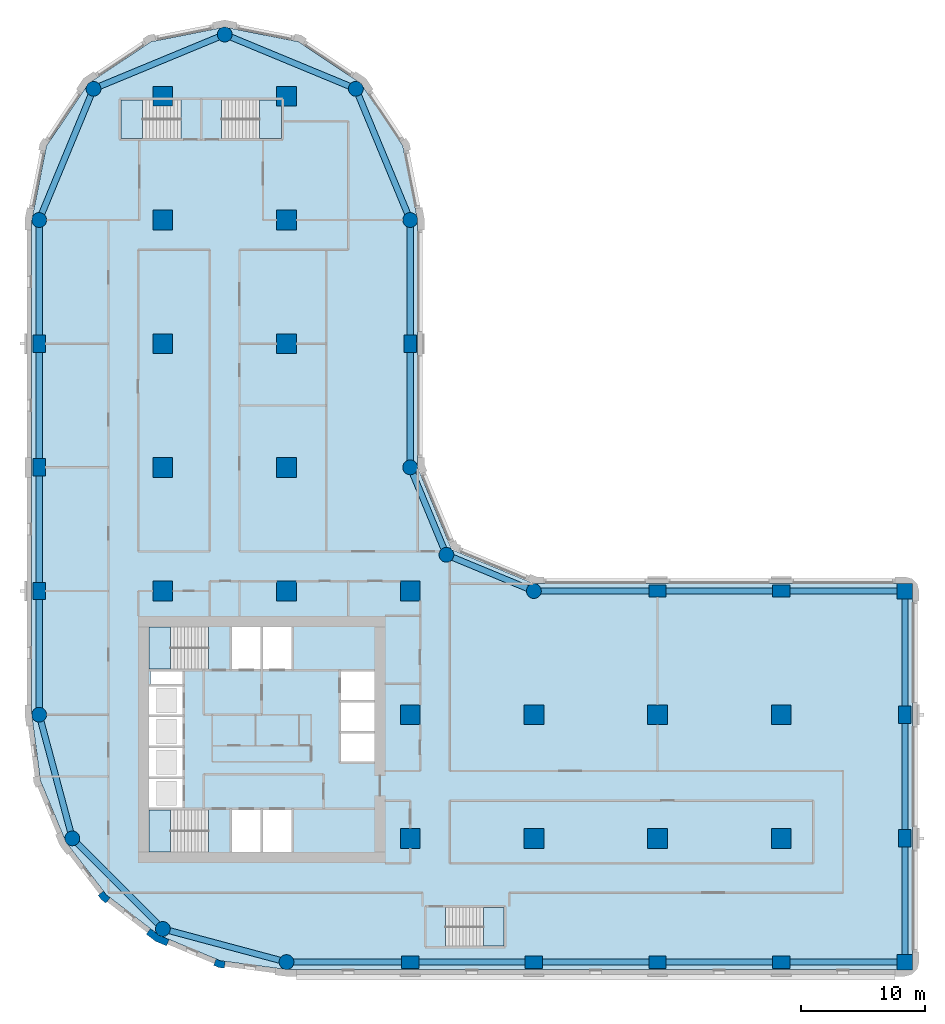
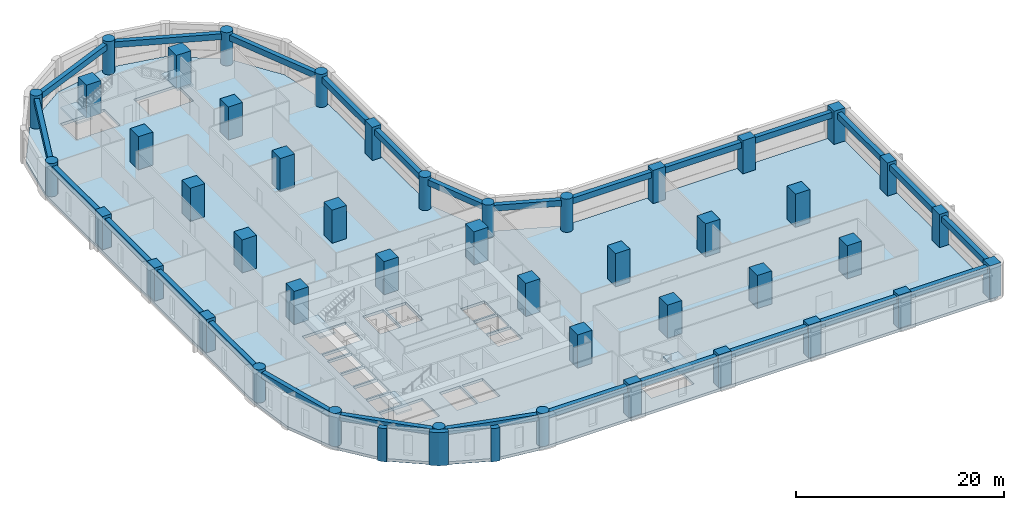
# One storey, part 1 of 10: 45 columns, 26 beams, 6 slabs, 3 walls, 5 elements without a shape of their own.
"""IFC4 building model written with IfcOpenShell, lengths in metres."""

from ifc_helpers import new_model, si_unit, direction, frame, origin, origin_2d, place, context, subcontext, project, spatial, polyline, rectangle, circle, outline, extrude, material, layer, layer_set, material_profile, profile_set, type_object, element, aggregate, save


model = new_model("IFC4")

# Units and contexts
model_context = context("Model", 3, precision=1e-05, world=origin(), true_north=direction((0.0, 1.0)))
body_context = subcontext(model_context, "Body", "Model", "MODEL_VIEW")
ifc_project = project(units=[si_unit("LENGTHUNIT", "METRE"), si_unit("AREAUNIT", "SQUARE_METRE"), si_unit("VOLUMEUNIT", "CUBIC_METRE"), si_unit("PLANEANGLEUNIT", "RADIAN"), si_unit("MASSUNIT", "GRAM", prefix="KILO")], contexts=[model_context])

# Site, building, storey
site_placement = place(None, origin())
site = spatial("IfcSite", under=ifc_project, at=site_placement, CompositionType="ELEMENT")
building_placement = place(site_placement, origin())
building = spatial("IfcBuilding", under=site, at=building_placement, Name="Qaws Garden Tower", CompositionType="ELEMENT")
storey_placement = place(building_placement, frame((0.0, 0.0, 66.60009765625)))
storey = spatial("IfcBuildingStorey", under=building, at=storey_placement, Name="L16", CompositionType="ELEMENT", Elevation=66.60009765625)

# Columns
ifc_material_1 = material(Name="Concrete C80", Category="concrete")
ifc_material_profile_1 = material_profile(ifc_material_1, rectangle(XDim=1.25, YDim=1.25, at=origin_2d()), Name="RC 1250x1250")
ifc_profile_set_1 = profile_set([ifc_material_profile_1], Name="Concrete C80")
column_type_1 = type_object("IfcColumnType", Name="Column RC 1250x1250 C80", PredefinedType="COLUMN", material=ifc_profile_set_1)
for number, where, z_axis, x_axis, name in (
    (1, (70.0, 0.0, 0.0), (0.0, 0.0, 1.0), (1.0, 0.0, 0.0), "Column L16-006"),
    (2, (70.0, 30.0, 0.0), (0.0, 0.0, 1.0), (1.0, 0.0, 0.0), "Column L16-009"),
):
    element("IfcColumn", number, at=place(storey_placement, frame(where, z_axis=z_axis, x_axis=x_axis)), inside=storey, type_object=column_type_1, Name=name, PredefinedType="COLUMN", context=body_context, shape_type="SweptSolid", body=[
        extrude(rectangle(XDim=1.25, YDim=1.25, at=origin_2d()), origin(), (0.0, 0.0, 1.0), 3.89990234375),
    ])
ifc_material_2 = material(Name="Concrete C80", Category="concrete")
ifc_material_profile_2 = material_profile(ifc_material_2, rectangle(XDim=1.39990234375, YDim=1.0, at=origin_2d()), Name="RC 1400x1000")
ifc_profile_set_2 = profile_set([ifc_material_profile_2], Name="Concrete C80")
column_type_2 = type_object("IfcColumnType", Name="Column RC 1400x1000 C80", PredefinedType="COLUMN", material=ifc_profile_set_2)
for number, where, z_axis, x_axis, name in (
    (3, (30.0, 0.0, 0.0), (0.0, 0.0, 1.0), (1.0, 0.0, 0.0), "Column L16-002"),
    (4, (40.0, 0.0, 0.0), (0.0, 0.0, 1.0), (1.0, 0.0, 0.0), "Column L16-003"),
    (5, (50.0, 0.0, 0.0), (0.0, 0.0, 1.0), (1.0, 0.0, 0.0), "Column L16-004"),
    (6, (60.0, 0.0, 0.0), (0.0, 0.0, 1.0), (1.0, 0.0, 0.0), "Column L16-005"),
    (7, (70.0, 10.0, 0.0), (0.0, 0.0, 1.0), (0.0, 1.0, 0.0), "Column L16-007"),
    (8, (70.0, 20.0, 0.0), (0.0, 0.0, 1.0), (0.0, 1.0, 0.0), "Column L16-008"),
    (9, (60.0, 30.0, 0.0), (0.0, 0.0, 1.0), (1.0, 0.0, 0.0), "Column L16-010"),
    (10, (50.0, 30.0, 0.0), (0.0, 0.0, 1.0), (1.0, 0.0, 0.0), "Column L16-011"),
    (11, (30.0, 50.0, 0.0), (0.0, 0.0, 1.0), (0.0, 1.0, 0.0), "Column L16-015"),
    (12, (0.0, 50.0, 0.0), (0.0, 0.0, 1.0), (0.0, 1.0, 0.0), "Column L16-021"),
    (13, (0.0, 40.0, 0.0), (0.0, 0.0, 1.0), (0.0, 1.0, 0.0), "Column L16-022"),
    (14, (0.0, 30.0, 0.0), (0.0, 0.0, 1.0), (0.0, 1.0, 0.0), "Column L16-023"),
):
    element("IfcColumn", number, at=place(storey_placement, frame(where, z_axis=z_axis, x_axis=x_axis)), inside=storey, type_object=column_type_2, Name=name, PredefinedType="COLUMN", context=body_context, shape_type="SweptSolid", body=[
        extrude(rectangle(XDim=1.39990234375, YDim=1.0, at=origin_2d()), origin(), (0.0, 0.0, 1.0), 3.89990234375),
    ])
ifc_material_3 = material(Name="Concrete C80", Category="concrete")
ifc_material_profile_3 = material_profile(ifc_material_3, rectangle(XDim=1.60009765625, YDim=1.60009765625, at=origin_2d()), Name="RC 1600x1600")
ifc_profile_set_3 = profile_set([ifc_material_profile_3], Name="Concrete C80")
column_type_3 = type_object("IfcColumnType", Name="Column RC 1600x1600 C80", PredefinedType="COLUMN", material=ifc_profile_set_3)
for number, where, z_axis, x_axis, name in (
    (15, (10.0, 30.0, 0.0), (0.0, 0.0, 1.0), (1.0, 0.0, 0.0), "Column L16-027"),
    (16, (10.0, 40.0, 0.0), (0.0, 0.0, 1.0), (1.0, 0.0, 0.0), "Column L16-028"),
    (17, (10.0, 50.0, 0.0), (0.0, 0.0, 1.0), (1.0, 0.0, 0.0), "Column L16-029"),
    (18, (10.0, 60.0, 0.0), (0.0, 0.0, 1.0), (1.0, 0.0, 0.0), "Column L16-030"),
    (19, (10.0, 70.0, 0.0), (0.0, 0.0, 1.0), (1.0, 0.0, 0.0), "Column L16-031"),
    (20, (20.0, 30.0, 0.0), (0.0, 0.0, 1.0), (1.0, 0.0, 0.0), "Column L16-032"),
    (21, (20.0, 40.0, 0.0), (0.0, 0.0, 1.0), (1.0, 0.0, 0.0), "Column L16-033"),
    (22, (20.0, 50.0, 0.0), (0.0, 0.0, 1.0), (1.0, 0.0, 0.0), "Column L16-034"),
    (23, (20.0, 60.0, 0.0), (0.0, 0.0, 1.0), (1.0, 0.0, 0.0), "Column L16-035"),
    (24, (20.0, 70.0, 0.0), (0.0, 0.0, 1.0), (1.0, 0.0, 0.0), "Column L16-036"),
    (25, (30.0, 10.0, 0.0), (0.0, 0.0, 1.0), (1.0, 0.0, 0.0), "Column L16-037"),
    (26, (30.0, 20.0, 0.0), (0.0, 0.0, 1.0), (1.0, 0.0, 0.0), "Column L16-038"),
    (27, (30.0, 30.0, 0.0), (0.0, 0.0, 1.0), (1.0, 0.0, 0.0), "Column L16-039"),
    (28, (40.0, 10.0, 0.0), (0.0, 0.0, 1.0), (1.0, 0.0, 0.0), "Column L16-040"),
    (29, (40.0, 20.0, 0.0), (0.0, 0.0, 1.0), (1.0, 0.0, 0.0), "Column L16-041"),
    (30, (50.0, 10.0, 0.0), (0.0, 0.0, 1.0), (1.0, 0.0, 0.0), "Column L16-042"),
    (31, (50.0, 20.0, 0.0), (0.0, 0.0, 1.0), (1.0, 0.0, 0.0), "Column L16-043"),
    (32, (60.0, 10.0, 0.0), (0.0, 0.0, 1.0), (1.0, 0.0, 0.0), "Column L16-044"),
    (33, (60.0, 20.0, 0.0), (0.0, 0.0, 1.0), (1.0, 0.0, 0.0), "Column L16-045"),
):
    element("IfcColumn", number, at=place(storey_placement, frame(where, z_axis=z_axis, x_axis=x_axis)), inside=storey, type_object=column_type_3, Name=name, PredefinedType="COLUMN", context=body_context, shape_type="SweptSolid", body=[
        extrude(rectangle(XDim=1.60009765625, YDim=1.60009765625, at=origin_2d()), origin(), (0.0, 0.0, 1.0), 3.89990234375),
    ])
ifc_material_4 = material(Name="Concrete C80", Category="concrete")
ifc_material_profile_4 = material_profile(ifc_material_4, circle(Radius=0.60009765625, at=origin_2d()), Name="RC D1200")
ifc_profile_set_4 = profile_set([ifc_material_profile_4], Name="Concrete C80")
column_type_4 = type_object("IfcColumnType", Name="Column RC D1200 C80", PredefinedType="COLUMN", material=ifc_profile_set_4)
for number, where, z_axis, x_axis, name in (
    (34, (20.0, 0.0, 0.0), (0.0, 0.0, 1.0), (1.0, 0.0, 0.0), "Column L16-001"),
    (35, (40.0, 30.0, 0.0), (0.0, 0.0, 1.0), (1.0, 0.0, 0.0), "Column L16-012"),
    (36, (32.928955078125, 32.928955078125, 0.0), (0.0, 0.0, 1.0), (1.0, 0.0, 0.0), "Column L16-013"),
    (37, (30.0, 40.0, 0.0), (0.0, 0.0, 1.0), (1.0, 0.0, 0.0), "Column L16-014"),
    (38, (30.0, 60.0, 0.0), (0.0, 0.0, 1.0), (1.0, 0.0, 0.0), "Column L16-016"),
    (39, (25.606689453125, 70.606689453125, 0.0), (0.0, 0.0, 1.0), (1.0, 0.0, 0.0), "Column L16-017"),
    (40, (15.0, 75.0, 0.0), (0.0, 0.0, 1.0), (1.0, 0.0, 0.0), "Column L16-018"),
    (41, (4.393310546875, 70.606689453125, 0.0), (0.0, 0.0, 1.0), (1.0, 0.0, 0.0), "Column L16-019"),
    (42, (0.0, 60.0, 0.0), (0.0, 0.0, 1.0), (1.0, 0.0, 0.0), "Column L16-020"),
    (43, (0.0, 20.0, 0.0), (0.0, 0.0, 1.0), (1.0, 0.0, 0.0), "Column L16-024"),
    (44, (2.679443359375, 10.0, 0.0), (0.0, 0.0, 1.0), (1.0, 0.0, 0.0), "Column L16-025"),
    (45, (10.0, 2.679443359375, 0.0), (0.0, 0.0, 1.0), (1.0, 0.0, 0.0), "Column L16-026"),
):
    element("IfcColumn", number, at=place(storey_placement, frame(where, z_axis=z_axis, x_axis=x_axis)), inside=storey, type_object=column_type_4, Name=name, PredefinedType="COLUMN", context=body_context, shape_type="SweptSolid", body=[
        extrude(circle(Radius=0.60009765625, at=origin_2d()), origin(), (0.0, 0.0, 1.0), 3.89990234375),
    ])

# Beams
ifc_material_5 = material(Name="Concrete C45", Category="concrete")
ifc_material_profile_5 = material_profile(ifc_material_5, rectangle(XDim=0.5, YDim=0.699951171875, at=origin_2d()), Name="RC 500x700")
ifc_profile_set_5 = profile_set([ifc_material_profile_5], Name="Concrete C45")
beam_type = type_object("IfcBeamType", Name="Spandrel beam RC 500x700 C45", PredefinedType="SPANDREL", material=ifc_profile_set_5)
for number, where, z_axis, x_axis, name in (
    (46, (20.0, 0.0, 3.22998046875), (1.0, 0.0, 0.0), (0.0, 1.0, 0.0), "Spandrel beam L16-001"),
    (47, (30.0, 0.0, 3.22998046875), (1.0, 0.0, 0.0), (0.0, 1.0, 0.0), "Spandrel beam L16-002"),
    (48, (40.0, 0.0, 3.22998046875), (1.0, 0.0, 0.0), (0.0, 1.0, 0.0), "Spandrel beam L16-003"),
    (49, (50.0, 0.0, 3.22998046875), (1.0, 0.0, 0.0), (0.0, 1.0, 0.0), "Spandrel beam L16-004"),
    (50, (60.0, 0.0, 3.22998046875), (1.0, 0.0, 0.0), (0.0, 1.0, 0.0), "Spandrel beam L16-005"),
    (51, (70.0, 0.0, 3.22998046875), (0.0, 1.0, 0.0), (-1.0, 0.0, 0.0), "Spandrel beam L16-006"),
    (52, (70.0, 10.0, 3.22998046875), (0.0, 1.0, 0.0), (-1.0, 0.0, 0.0), "Spandrel beam L16-007"),
    (53, (70.0, 20.0, 3.22998046875), (0.0, 1.0, 0.0), (-1.0, 0.0, 0.0), "Spandrel beam L16-008"),
    (54, (70.0, 30.0, 3.22998046875), (-1.0, 0.0, 0.0), (0.0, -1.0, 0.0), "Spandrel beam L16-009"),
    (55, (60.0, 30.0, 3.22998046875), (-1.0, 0.0, 0.0), (0.0, -1.0, 0.0), "Spandrel beam L16-010"),
    (56, (50.0, 30.0, 3.22998046875), (-1.0, 0.0, 0.0), (0.0, -1.0, 0.0), "Spandrel beam L16-011"),
):
    element("IfcBeam", number, at=place(storey_placement, frame(where, z_axis=z_axis, x_axis=x_axis)), inside=storey, type_object=beam_type, Name=name, PredefinedType="SPANDREL", context=body_context, shape_type="SweptSolid", body=[
        extrude(rectangle(XDim=0.5, YDim=0.699951171875, at=origin_2d()), origin(), (0.0, 0.0, 1.0), 10.0),
    ])
for number, where, z_axis, x_axis, name in (
    (57, (40.0, 30.0, 3.22998046875), (-0.923878037141, 0.382687042488, 0.0), (-0.382687042488, -0.923878037141, 0.0), "Spandrel beam L16-012"),
    (58, (32.928955078125, 32.928955078125, 3.22998046875), (-0.382687042488, 0.923878037141, 0.0), (-0.923878037141, -0.382687042488, 0.0), "Spandrel beam L16-013"),
):
    element("IfcBeam", number, at=place(storey_placement, frame(where, z_axis=z_axis, x_axis=x_axis)), inside=storey, type_object=beam_type, Name=name, PredefinedType="SPANDREL", context=body_context, shape_type="SweptSolid", body=[
        extrude(rectangle(XDim=0.5, YDim=0.699951171875, at=origin_2d()), origin(), (0.0, 0.0, 1.0), 7.653564453125),
    ])
for number, where, z_axis, x_axis, name in (
    (59, (30.0, 40.0, 3.22998046875), (0.0, 1.0, 0.0), (-1.0, 0.0, 0.0), "Spandrel beam L16-014"),
    (60, (30.0, 50.0, 3.22998046875), (0.0, 1.0, 0.0), (-1.0, 0.0, 0.0), "Spandrel beam L16-015"),
):
    element("IfcBeam", number, at=place(storey_placement, frame(where, z_axis=z_axis, x_axis=x_axis)), inside=storey, type_object=beam_type, Name=name, PredefinedType="SPANDREL", context=body_context, shape_type="SweptSolid", body=[
        extrude(rectangle(XDim=0.5, YDim=0.699951171875, at=origin_2d()), origin(), (0.0, 0.0, 1.0), 10.0),
    ])
for number, where, z_axis, x_axis, name in (
    (61, (30.0, 60.0, 3.22998046875), (-0.382674207535, 0.923883353507, 0.0), (-0.923883353507, -0.382674207535, 0.0), "Spandrel beam L16-016"),
    (62, (25.606689453125, 70.606689453125, 3.22998046875), (-0.923883353507, 0.382674207535, 0.0), (-0.382674207535, -0.923883353507, 0.0), "Spandrel beam L16-017"),
    (63, (15.0, 75.0, 3.22998046875), (-0.923883353507, -0.382674207535, 0.0), (0.382674207535, -0.923883353507, 0.0), "Spandrel beam L16-018"),
    (64, (4.393310546875, 70.606689453125, 3.22998046875), (-0.382674207535, -0.923883353507, 0.0), (0.923883353507, -0.382674207535, 0.0), "Spandrel beam L16-019"),
):
    element("IfcBeam", number, at=place(storey_placement, frame(where, z_axis=z_axis, x_axis=x_axis)), inside=storey, type_object=beam_type, Name=name, PredefinedType="SPANDREL", context=body_context, shape_type="SweptSolid", body=[
        extrude(rectangle(XDim=0.5, YDim=0.699951171875, at=origin_2d()), origin(), (0.0, 0.0, 1.0), 11.48046875),
    ])
for number, where, z_axis, x_axis, name in (
    (65, (0.0, 60.0, 3.22998046875), (0.0, -1.0, 0.0), (1.0, 0.0, 0.0), "Spandrel beam L16-020"),
    (66, (0.0, 50.0, 3.22998046875), (0.0, -1.0, 0.0), (1.0, 0.0, 0.0), "Spandrel beam L16-021"),
    (67, (0.0, 40.0, 3.22998046875), (0.0, -1.0, 0.0), (1.0, 0.0, 0.0), "Spandrel beam L16-022"),
    (68, (0.0, 30.0, 3.22998046875), (0.0, -1.0, 0.0), (1.0, 0.0, 0.0), "Spandrel beam L16-023"),
):
    element("IfcBeam", number, at=place(storey_placement, frame(where, z_axis=z_axis, x_axis=x_axis)), inside=storey, type_object=beam_type, Name=name, PredefinedType="SPANDREL", context=body_context, shape_type="SweptSolid", body=[
        extrude(rectangle(XDim=0.5, YDim=0.699951171875, at=origin_2d()), origin(), (0.0, 0.0, 1.0), 10.0),
    ])
for number, where, z_axis, x_axis, name in (
    (69, (0.0, 20.0, 3.22998046875), (0.25881466832, -0.965926999034, 0.0), (0.965926999034, 0.25881466832, 0.0), "Spandrel beam L16-024"),
    (70, (2.679443359375, 10.0, 3.22998046875), (0.707106781187, -0.707106781187, 0.0), (0.707106781187, 0.707106781187, 0.0), "Spandrel beam L16-025"),
    (71, (10.0, 2.679443359375, 3.22998046875), (0.965926999034, -0.25881466832, 0.0), (0.25881466832, 0.965926999034, 0.0), "Spandrel beam L16-026"),
):
    element("IfcBeam", number, at=place(storey_placement, frame(where, z_axis=z_axis, x_axis=x_axis)), inside=storey, type_object=beam_type, Name=name, PredefinedType="SPANDREL", context=body_context, shape_type="SweptSolid", body=[
        extrude(rectangle(XDim=0.5, YDim=0.699951171875, at=origin_2d()), origin(), (0.0, 0.0, 1.0), 10.352783203125),
    ])

# Slab
ifc_material_6 = material(Name="Concrete C40", Category="concrete")
ifc_layer_1 = layer(ifc_material_6, 0.320068359375)
ifc_layer_set_1 = layer_set([ifc_layer_1], Name="Concrete C40")
slab_type_1 = type_object("IfcSlabType", Name="Floor slab 320 C40", PredefinedType="FLOOR", material=ifc_layer_set_1)
slab_1_placement = place(storey_placement, frame((0.0, 0.0, -0.320068359375)))
element("IfcSlab", 72, at=slab_1_placement, inside=storey, type_object=slab_type_1, Name="Floor slab L16", PredefinedType="FLOOR", context=body_context, shape_type="SweptSolid", body=[
    extrude(outline(polyline([(0.101806640625, 14.668212890625), (-0.60009765625, 20.0), (-0.60009765625, 30.60009765625), (-0.60009765625, 60.0), (-0.60009765625, 60.0), (0.58740234375, 65.969970703125), (3.968994140625, 71.031005859375), (9.030029296875, 74.41259765625), (15.0, 75.60009765625), (20.969970703125, 74.41259765625), (26.031005859375, 71.031005859375), (29.41259765625, 65.969970703125), (30.60009765625, 60.0), (30.60009765625, 40.0), (33.353271484375, 33.353271484375), (40.0, 30.60009765625), (70.0, 30.60009765625), (70.42431640625, 30.42431640625), (70.60009765625, 30.0), (70.60009765625, 0.0), (70.42431640625, -0.42431640625), (70.0, -0.60009765625), (30.60009765625, -0.60009765625), (20.0, -0.60009765625), (14.668212890625, 0.101806640625), (9.699951171875, 2.159912109375), (5.43359375, 5.43359375), (2.159912109375, 9.699951171875), (0.101806640625, 14.668212890625)]), holes=[polyline([(13.699462890625, 12.300048828125), (8.89990234375, 12.300048828125), (8.89990234375, 8.89990234375), (13.699462890625, 8.89990234375), (13.699462890625, 12.300048828125)]), polyline([(17.89990234375, 12.300048828125), (15.60009765625, 12.300048828125), (15.60009765625, 8.89990234375), (17.89990234375, 8.89990234375), (17.89990234375, 12.300048828125)]), polyline([(11.60009765625, 14.800048828125), (8.89990234375, 14.800048828125), (8.89990234375, 12.5), (11.60009765625, 12.5), (11.60009765625, 14.800048828125)]), polyline([(11.60009765625, 17.300048828125), (8.89990234375, 17.300048828125), (8.89990234375, 15.0), (11.60009765625, 15.0), (11.60009765625, 17.300048828125)]), polyline([(11.60009765625, 19.800048828125), (8.89990234375, 19.800048828125), (8.89990234375, 17.5), (11.60009765625, 17.5), (11.60009765625, 19.800048828125)]), polyline([(11.60009765625, 22.300048828125), (8.89990234375, 22.300048828125), (8.89990234375, 20.0), (11.60009765625, 20.0), (11.60009765625, 22.300048828125)]), polyline([(11.60009765625, 23.5), (9.0, 23.5), (9.0, 22.5), (11.60009765625, 22.5), (11.60009765625, 23.5)]), polyline([(13.699462890625, 27.10009765625), (8.89990234375, 27.10009765625), (8.89990234375, 23.699951171875), (13.699462890625, 23.699951171875), (13.699462890625, 27.10009765625)]), polyline([(11.449462890625, 69.699951171875), (6.60009765625, 69.699951171875), (6.60009765625, 66.60009765625), (11.449462890625, 66.60009765625), (11.449462890625, 69.699951171875)]), polyline([(37.60009765625, 4.39990234375), (32.8505859375, 4.39990234375), (32.8505859375, 1.300048828125), (37.60009765625, 1.300048828125), (37.60009765625, 4.39990234375)]), polyline([(20.39990234375, 12.300048828125), (18.10009765625, 12.300048828125), (18.10009765625, 8.89990234375), (20.39990234375, 8.89990234375), (20.39990234375, 12.300048828125)]), polyline([(27.10009765625, 18.5), (24.39990234375, 18.5), (24.39990234375, 16.199951171875), (27.10009765625, 16.199951171875), (27.10009765625, 18.5)]), polyline([(27.10009765625, 21.0), (24.39990234375, 21.0), (24.39990234375, 18.699951171875), (27.10009765625, 18.699951171875), (27.10009765625, 21.0)]), polyline([(27.10009765625, 23.5), (24.39990234375, 23.5), (24.39990234375, 21.199951171875), (27.10009765625, 21.199951171875), (27.10009765625, 23.5)]), polyline([(17.89990234375, 27.10009765625), (15.60009765625, 27.10009765625), (15.60009765625, 23.699951171875), (17.89990234375, 23.699951171875), (17.89990234375, 27.10009765625)]), polyline([(20.39990234375, 23.699951171875), (20.39990234375, 27.10009765625), (18.10009765625, 27.10009765625), (18.10009765625, 23.699951171875), (20.39990234375, 23.699951171875)]), polyline([(19.60009765625, 66.60009765625), (19.60009765625, 69.699951171875), (14.75048828125, 69.699951171875), (14.75048828125, 66.60009765625), (19.60009765625, 66.60009765625)])]), origin(), (0.0, 0.0, 1.0), 0.320068359375),
])

# Stair, slab
ifc_material_7 = material(Name="Concrete C40", Category="concrete")
stair_type_1 = type_object("IfcStairType", Name="Exit stair 1500", PredefinedType="HALF_TURN_STAIR", material=ifc_material_7)
placement_1 = place(storey_placement, origin())
stair_1 = element("IfcStair", 73, at=placement_1, inside=storey, type_object=stair_type_1, Name="Stair 1", PredefinedType="HALF_TURN_STAIR")
ifc_material_8 = material(Name="Concrete C40", Category="concrete")
ifc_layer_2 = layer(ifc_material_8, 0.199951171875)
ifc_layer_set_2 = layer_set([ifc_layer_2], Name="Concrete C40")
slab_type_2 = type_object("IfcSlabType", Name="Stair landing 200", PredefinedType="LANDING", material=ifc_layer_set_2)
placement_2 = place(storey_placement, frame((0.0, 0.0, 1.75)))
slab_2 = element("IfcSlab", 74, at=placement_2, type_object=slab_type_2, Name="ST1 landing 1", PredefinedType="LANDING", context=body_context, shape_type="SweptSolid", body=[
    extrude(outline(polyline([(8.89990234375, 8.89990234375), (10.6201171875, 8.89990234375), (10.6201171875, 12.300048828125), (8.89990234375, 12.300048828125), (8.89990234375, 8.89990234375)])), origin(), (0.0, 0.0, 1.0), 0.199951171875),
])
aggregate(stair_1, [slab_2])

stair_2 = element("IfcStair", 75, at=placement_1, inside=storey, type_object=stair_type_1, Name="Stair 4", PredefinedType="HALF_TURN_STAIR")
slab_3 = element("IfcSlab", 76, at=placement_2, type_object=slab_type_2, Name="ST4 landing 1", PredefinedType="LANDING", context=body_context, shape_type="SweptSolid", body=[
    extrude(outline(polyline([(8.89990234375, 23.699951171875), (10.6201171875, 23.699951171875), (10.6201171875, 27.10009765625), (8.89990234375, 27.10009765625), (8.89990234375, 23.699951171875)])), origin(), (0.0, 0.0, 1.0), 0.199951171875),
])
aggregate(stair_2, [slab_3])

ifc_material_9 = material(Name="Concrete C40", Category="concrete")
stair_type_2 = type_object("IfcStairType", Name="Exit stair 1350", PredefinedType="HALF_TURN_STAIR", material=ifc_material_9)
stair_3 = element("IfcStair", 77, at=placement_1, inside=storey, type_object=stair_type_2, Name="Stair 5", PredefinedType="HALF_TURN_STAIR")
slab_4 = element("IfcSlab", 78, at=placement_2, type_object=slab_type_2, Name="ST5 landing 1", PredefinedType="LANDING", context=body_context, shape_type="SweptSolid", body=[
    extrude(outline(polyline([(35.929931640625, 1.300048828125), (37.60009765625, 1.300048828125), (37.60009765625, 4.39990234375), (35.929931640625, 4.39990234375), (35.929931640625, 1.300048828125)])), origin(), (0.0, 0.0, 1.0), 0.199951171875),
])
aggregate(stair_3, [slab_4])

stair_4 = element("IfcStair", 79, at=placement_1, inside=storey, type_object=stair_type_2, Name="Stair 6", PredefinedType="HALF_TURN_STAIR")
slab_5 = element("IfcSlab", 80, at=placement_2, type_object=slab_type_2, Name="ST6 landing 1", PredefinedType="LANDING", context=body_context, shape_type="SweptSolid", body=[
    extrude(outline(polyline([(6.60009765625, 66.60009765625), (8.3701171875, 66.60009765625), (8.3701171875, 69.699951171875), (6.60009765625, 69.699951171875), (6.60009765625, 66.60009765625)])), origin(), (0.0, 0.0, 1.0), 0.199951171875),
])
aggregate(stair_4, [slab_5])

stair_5 = element("IfcStair", 81, at=placement_1, inside=storey, type_object=stair_type_2, Name="Stair 7", PredefinedType="HALF_TURN_STAIR")
slab_6 = element("IfcSlab", 82, at=placement_2, type_object=slab_type_2, Name="ST7 landing 1", PredefinedType="LANDING", context=body_context, shape_type="SweptSolid", body=[
    extrude(outline(polyline([(17.830078125, 66.60009765625), (19.60009765625, 66.60009765625), (19.60009765625, 69.699951171875), (17.830078125, 69.699951171875), (17.830078125, 66.60009765625)])), origin(), (0.0, 0.0, 1.0), 0.199951171875),
])
aggregate(stair_5, [slab_6])

# Walls
ifc_material_10 = material(Name="Clay facing brick masonry", Category="masonry")
ifc_layer_3 = layer(ifc_material_10, 0.550048828125)
ifc_layer_set_3 = layer_set([ifc_layer_3], Name="Clay facing brick masonry")
wall_type_1 = type_object("IfcWallType", Name="Brick kink pier 550 x 600", PredefinedType="SOLIDWALL", material=ifc_layer_set_3)
element("IfcWall", 83, at=placement_1, inside=storey, type_object=wall_type_1, Name="E-L16-pier-30", PredefinedType="SOLIDWALL", context=body_context, shape_type="SweptSolid", body=[
    extrude(outline(polyline([(4.8818359375, 5.487060546875), (4.762939453125, 5.395751953125), (5.03759765625, 5.03759765625), (5.395751953125, 4.762939453125), (5.487060546875, 4.8818359375), (5.730712890625, 5.19921875), (5.429931640625, 5.429931640625), (5.19921875, 5.730712890625), (4.8818359375, 5.487060546875)])), origin(), (0.0, 0.0, 1.0), 3.89990234375),
])
element("IfcWall", 84, at=placement_1, inside=storey, type_object=wall_type_1, Name="E-L16-pier-32", PredefinedType="SOLIDWALL", context=body_context, shape_type="SweptSolid", body=[
    extrude(outline(polyline([(14.163818359375, -0.127685546875), (14.1064453125, -0.26611328125), (14.5234375, -0.43896484375), (14.970947265625, -0.497802734375), (14.990478515625, -0.34912109375), (15.042724609375, 0.04736328125), (14.6669921875, 0.096923828125), (14.31689453125, 0.241943359375), (14.163818359375, -0.127685546875)])), origin(), (0.0, 0.0, 1.0), 3.89990234375),
])
ifc_material_11 = material(Name="Clay facing brick masonry", Category="masonry")
ifc_layer_4 = layer(ifc_material_11, 0.550048828125)
ifc_layer_set_4 = layer_set([ifc_layer_4], Name="Clay facing brick masonry")
wall_type_2 = type_object("IfcWallType", Name="Brick pier 550 x 1600", PredefinedType="SOLIDWALL", material=ifc_layer_set_4)
element("IfcWall", 85, at=placement_1, inside=storey, type_object=wall_type_2, Name="E-L16-pier-31", PredefinedType="SOLIDWALL", context=body_context, shape_type="SweptSolid", body=[
    extrude(outline(polyline([(8.756591796875, 2.373046875), (8.665283203125, 2.254150390625), (9.419921875, 1.675048828125), (10.299072265625, 1.310791015625), (10.3564453125, 1.449462890625), (10.509521484375, 1.819091796875), (9.697509765625, 2.1552734375), (9.0, 2.6904296875), (8.756591796875, 2.373046875)])), origin(), (0.0, 0.0, 1.0), 3.89990234375),
])

save(model, "model.ifc")
